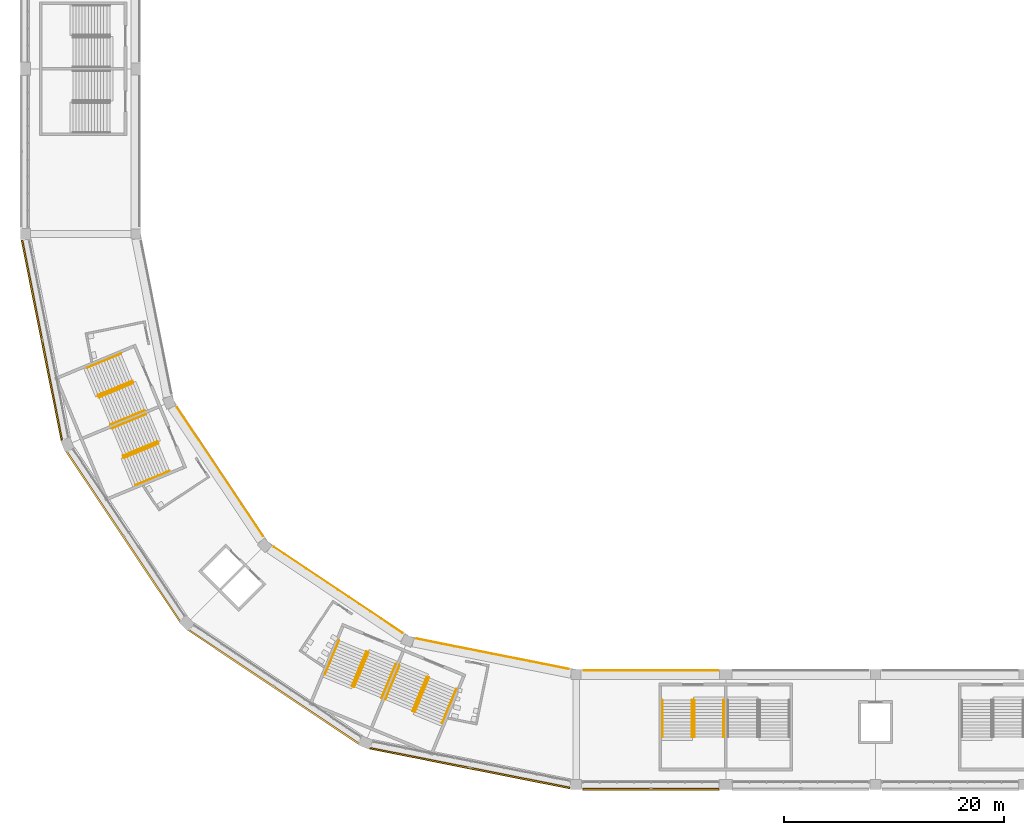
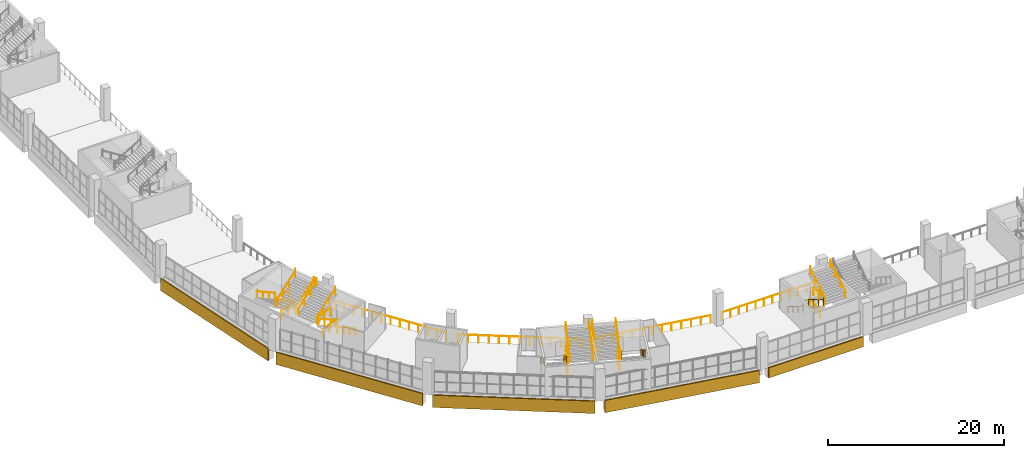
# One storey, part 164 of 177: 34 railings, 5 coverings.
"""IFC4 building model written with IfcOpenShell, lengths in metres."""

from ifc_helpers import new_model, si_unit, direction, frame, origin, origin_2d, place, context, subcontext, project, spatial, polyline, circle, outline, extrude, material, layer, layer_set, type_object, element, save


model = new_model("IFC4")

# Units and contexts
model_context = context("Model", 3, precision=1e-05, world=origin(), true_north=direction((0.0, 1.0)))
body_context = subcontext(model_context, "Body", "Model", "MODEL_VIEW")
ifc_project = project(units=[si_unit("LENGTHUNIT", "METRE"), si_unit("AREAUNIT", "SQUARE_METRE"), si_unit("VOLUMEUNIT", "CUBIC_METRE"), si_unit("PLANEANGLEUNIT", "RADIAN"), si_unit("MASSUNIT", "GRAM", prefix="KILO")], contexts=[model_context])

# Site, building, storey
site_placement = place(None, origin())
site = spatial("IfcSite", under=ifc_project, at=site_placement, CompositionType="ELEMENT")
building_placement = place(site_placement, origin())
building = spatial("IfcBuilding", under=site, at=building_placement, Name="Ogive Plaza Stadium", CompositionType="ELEMENT")
storey_placement = place(building_placement, frame((0.0, 0.0, 18.0)))
storey = spatial("IfcBuildingStorey", under=building, at=storey_placement, Name="L04", CompositionType="ELEMENT", Elevation=18.0)

# Railings
ifc_material_1 = material(Name="Steel ASTM A572 Grade 50", Category="steel")
railing_type_1 = type_object("IfcRailingType", Name="Guard 1100", PredefinedType="GUARDRAIL", material=ifc_material_1)
for number, where, name in (
    (1, (-23.375, -94.85009765625, 0.0), "Stair well guard ST16A L04"),
    (2, (-23.375, -95.81005859375, 2.25), "Stair well guard ST16A L04"),
):
    element("IfcRailing", number, at=place(storey_placement, frame(where)), inside=storey, type_object=railing_type_1, Name=name, PredefinedType="GUARDRAIL", context=body_context, shape_type="SweptSolid", body=[
        extrude(circle(Radius=0.02392578125, at=origin_2d()), frame((0.0, 0.0, 1.076171875), z_axis=(0.0, -1.0, 0.0), x_axis=(1.0, 0.0, 0.0)), (0.0, 0.0, 1.0), 2.39990234375),
        extrude(circle(Radius=0.02099609375, at=origin_2d()), origin(), (0.0, 0.0, 1.0), 1.052001953125),
        extrude(circle(Radius=0.02099609375, at=origin_2d()), frame((0.0, -1.199951171875, 0.0)), (0.0, 0.0, 1.0), 1.052001953125),
        extrude(circle(Radius=0.02099609375, at=origin_2d()), frame((0.0, -2.39990234375, 0.0)), (0.0, 0.0, 1.0), 1.052001953125),
    ])
for number, where, name in (
    (3, (-52.955078125, -90.48779296875, 0.0), "Stair well guard ST18A L04"),
    (4, (-53.322509765625, -91.374755859375, 2.25), "Stair well guard ST18A L04"),
    (5, (-47.4580078125, -92.764892578125, 0.0), "Stair well guard ST18B L04"),
    (6, (-47.825439453125, -93.651611328125, 2.25), "Stair well guard ST18B L04"),
):
    element("IfcRailing", number, at=place(storey_placement, frame(where)), inside=storey, type_object=railing_type_1, Name=name, PredefinedType="GUARDRAIL", context=body_context, shape_type="SweptSolid", body=[
        extrude(circle(Radius=0.02392578125, at=origin_2d()), frame((0.0, 0.0, 1.076171875), z_axis=(-0.382693194178, -0.923875488976, 0.0), x_axis=(0.923875488976, -0.382693194178, 0.0)), (0.0, 0.0, 1.0), 2.39990234375),
        extrude(circle(Radius=0.02099609375, at=origin_2d()), origin(), (0.0, 0.0, 1.0), 1.052001953125),
        extrude(circle(Radius=0.02099609375, at=origin_2d()), frame((-0.459228515625, -1.108642578125, 0.0)), (0.0, 0.0, 1.0), 1.052001953125),
        extrude(circle(Radius=0.02099609375, at=origin_2d()), frame((-0.91845703125, -2.21728515625, 0.0)), (0.0, 0.0, 1.0), 1.052001953125),
    ])
for number, where, name in (
    (7, (-74.264892578125, -65.9580078125, 0.0), "Stair well guard ST20A L04"),
    (8, (-75.151611328125, -66.325439453125, 2.25), "Stair well guard ST20A L04"),
    (9, (-71.98779296875, -71.455078125, 0.0), "Stair well guard ST20B L04"),
    (10, (-72.874755859375, -71.822509765625, 2.25), "Stair well guard ST20B L04"),
):
    element("IfcRailing", number, at=place(storey_placement, frame(where)), inside=storey, type_object=railing_type_1, Name=name, PredefinedType="GUARDRAIL", context=body_context, shape_type="SweptSolid", body=[
        extrude(circle(Radius=0.02392578125, at=origin_2d()), frame((0.0, 0.0, 1.076171875), z_axis=(-0.923875488976, -0.382693194178, 0.0), x_axis=(0.382693194178, -0.923875488976, 0.0)), (0.0, 0.0, 1.0), 2.39990234375),
        extrude(circle(Radius=0.02099609375, at=origin_2d()), origin(), (0.0, 0.0, 1.0), 1.052001953125),
        extrude(circle(Radius=0.02099609375, at=origin_2d()), frame((-1.108642578125, -0.459228515625, 0.0)), (0.0, 0.0, 1.0), 1.052001953125),
        extrude(circle(Radius=0.02099609375, at=origin_2d()), frame((-2.21728515625, -0.91845703125, 0.0)), (0.0, 0.0, 1.0), 1.052001953125),
    ])
railing_1_placement = place(storey_placement, frame((-21.10009765625, -92.14990234375, 0.0)))
element("IfcRailing", 11, at=railing_1_placement, inside=storey, type_object=railing_type_1, Name="Guard L04 B16", PredefinedType="GUARDRAIL", context=body_context, shape_type="SweptSolid", body=[
    extrude(circle(Radius=0.02392578125, at=origin_2d()), frame((0.0, 0.0, 1.076171875), z_axis=(-1.0, 0.0, 0.0), x_axis=(0.0, -1.0, 0.0)), (0.0, 0.0, 1.0), 12.199951171875),
    extrude(circle(Radius=0.02099609375, at=origin_2d()), origin(), (0.0, 0.0, 1.0), 1.052001953125),
    extrude(circle(Radius=0.02099609375, at=origin_2d()), frame((-1.109130859375, 0.0, 0.0)), (0.0, 0.0, 1.0), 1.052001953125),
    extrude(circle(Radius=0.02099609375, at=origin_2d()), frame((-2.21826171875, 0.0, 0.0)), (0.0, 0.0, 1.0), 1.052001953125),
    extrude(circle(Radius=0.02099609375, at=origin_2d()), frame((-3.3271484375, 0.0, 0.0)), (0.0, 0.0, 1.0), 1.052001953125),
    extrude(circle(Radius=0.02099609375, at=origin_2d()), frame((-4.436279296875, 0.0, 0.0)), (0.0, 0.0, 1.0), 1.052001953125),
    extrude(circle(Radius=0.02099609375, at=origin_2d()), frame((-5.54541015625, 0.0, 0.0)), (0.0, 0.0, 1.0), 1.052001953125),
    extrude(circle(Radius=0.02099609375, at=origin_2d()), frame((-6.654541015625, 0.0, 0.0)), (0.0, 0.0, 1.0), 1.052001953125),
    extrude(circle(Radius=0.02099609375, at=origin_2d()), frame((-7.763671875, 0.0, 0.0)), (0.0, 0.0, 1.0), 1.052001953125),
    extrude(circle(Radius=0.02099609375, at=origin_2d()), frame((-8.872802734375, 0.0, 0.0)), (0.0, 0.0, 1.0), 1.052001953125),
    extrude(circle(Radius=0.02099609375, at=origin_2d()), frame((-9.981689453125, 0.0, 0.0)), (0.0, 0.0, 1.0), 1.052001953125),
    extrude(circle(Radius=0.02099609375, at=origin_2d()), frame((-11.0908203125, 0.0, 0.0)), (0.0, 0.0, 1.0), 1.052001953125),
    extrude(circle(Radius=0.02099609375, at=origin_2d()), frame((-12.199951171875, 0.0, 0.0)), (0.0, 0.0, 1.0), 1.052001953125),
])
railing_2_placement = place(storey_placement, frame((-34.6865234375, -92.013427734375, 0.0)))
element("IfcRailing", 12, at=railing_2_placement, inside=storey, type_object=railing_type_1, Name="Guard L04 B17", PredefinedType="GUARDRAIL", context=body_context, shape_type="SweptSolid", body=[
    extrude(circle(Radius=0.02392578125, at=origin_2d()), frame((0.0, 0.0, 1.076171875), z_axis=(-0.980784352387, 0.195094987408, 0.0), x_axis=(-0.195094987408, -0.980784352387, 0.0)), (0.0, 0.0, 1.0), 14.070556640625),
    extrude(circle(Radius=0.02099609375, at=origin_2d()), origin(), (0.0, 0.0, 1.0), 1.052001953125),
    extrude(circle(Radius=0.02099609375, at=origin_2d()), frame((-1.14990234375, 0.228759765625, 0.0)), (0.0, 0.0, 1.0), 1.052001953125),
    extrude(circle(Radius=0.02099609375, at=origin_2d()), frame((-2.300048828125, 0.45751953125, 0.0)), (0.0, 0.0, 1.0), 1.052001953125),
    extrude(circle(Radius=0.02099609375, at=origin_2d()), frame((-3.4501953125, 0.686279296875, 0.0)), (0.0, 0.0, 1.0), 1.052001953125),
    extrude(circle(Radius=0.02099609375, at=origin_2d()), frame((-4.60009765625, 0.9150390625, 0.0)), (0.0, 0.0, 1.0), 1.052001953125),
    extrude(circle(Radius=0.02099609375, at=origin_2d()), frame((-5.75, 1.143798828125, 0.0)), (0.0, 0.0, 1.0), 1.052001953125),
    extrude(circle(Radius=0.02099609375, at=origin_2d()), frame((-6.900146484375, 1.37255859375, 0.0)), (0.0, 0.0, 1.0), 1.052001953125),
    extrude(circle(Radius=0.02099609375, at=origin_2d()), frame((-8.05029296875, 1.601318359375, 0.0)), (0.0, 0.0, 1.0), 1.052001953125),
    extrude(circle(Radius=0.02099609375, at=origin_2d()), frame((-9.2001953125, 1.830078125, 0.0)), (0.0, 0.0, 1.0), 1.052001953125),
    extrude(circle(Radius=0.02099609375, at=origin_2d()), frame((-10.35009765625, 2.058837890625, 0.0)), (0.0, 0.0, 1.0), 1.052001953125),
    extrude(circle(Radius=0.02099609375, at=origin_2d()), frame((-11.500244140625, 2.28759765625, 0.0)), (0.0, 0.0, 1.0), 1.052001953125),
    extrude(circle(Radius=0.02099609375, at=origin_2d()), frame((-12.650390625, 2.516357421875, 0.0)), (0.0, 0.0, 1.0), 1.052001953125),
    extrude(circle(Radius=0.02099609375, at=origin_2d()), frame((-13.80029296875, 2.7451171875, 0.0)), (0.0, 0.0, 1.0), 1.052001953125),
])
railing_3_placement = place(storey_placement, frame((-49.75537109375, -88.742919921875, 0.0)))
element("IfcRailing", 13, at=railing_3_placement, inside=storey, type_object=railing_type_1, Name="Guard L04 B18", PredefinedType="GUARDRAIL", context=body_context, shape_type="SweptSolid", body=[
    extrude(circle(Radius=0.02392578125, at=origin_2d()), frame((0.0, 0.0, 1.076171875), z_axis=(-0.83147593222, 0.555560774478, 0.0), x_axis=(-0.555560774478, -0.83147593222, 0.0)), (0.0, 0.0, 1.0), 14.07080078125),
    extrude(circle(Radius=0.02099609375, at=origin_2d()), origin(), (0.0, 0.0, 1.0), 1.052001953125),
    extrude(circle(Radius=0.02099609375, at=origin_2d()), frame((-0.974853515625, 0.6513671875, 0.0)), (0.0, 0.0, 1.0), 1.052001953125),
    extrude(circle(Radius=0.02099609375, at=origin_2d()), frame((-1.949951171875, 1.302734375, 0.0)), (0.0, 0.0, 1.0), 1.052001953125),
    extrude(circle(Radius=0.02099609375, at=origin_2d()), frame((-2.9248046875, 1.954345703125, 0.0)), (0.0, 0.0, 1.0), 1.052001953125),
    extrude(circle(Radius=0.02099609375, at=origin_2d()), frame((-3.89990234375, 2.605712890625, 0.0)), (0.0, 0.0, 1.0), 1.052001953125),
    extrude(circle(Radius=0.02099609375, at=origin_2d()), frame((-4.874755859375, 3.257080078125, 0.0)), (0.0, 0.0, 1.0), 1.052001953125),
    extrude(circle(Radius=0.02099609375, at=origin_2d()), frame((-5.849609375, 3.90869140625, 0.0)), (0.0, 0.0, 1.0), 1.052001953125),
    extrude(circle(Radius=0.02099609375, at=origin_2d()), frame((-6.82470703125, 4.56005859375, 0.0)), (0.0, 0.0, 1.0), 1.052001953125),
    extrude(circle(Radius=0.02099609375, at=origin_2d()), frame((-7.799560546875, 5.21142578125, 0.0)), (0.0, 0.0, 1.0), 1.052001953125),
    extrude(circle(Radius=0.02099609375, at=origin_2d()), frame((-8.774658203125, 5.86279296875, 0.0)), (0.0, 0.0, 1.0), 1.052001953125),
    extrude(circle(Radius=0.02099609375, at=origin_2d()), frame((-9.74951171875, 6.51416015625, 0.0)), (0.0, 0.0, 1.0), 1.052001953125),
    extrude(circle(Radius=0.02099609375, at=origin_2d()), frame((-10.724609375, 7.165771484375, 0.0)), (0.0, 0.0, 1.0), 1.052001953125),
    extrude(circle(Radius=0.02099609375, at=origin_2d()), frame((-11.699462890625, 7.817138671875, 0.0)), (0.0, 0.0, 1.0), 1.052001953125),
])
railing_4_placement = place(storey_placement, frame((-62.42578125, -79.954833984375, 0.0)))
element("IfcRailing", 14, at=railing_4_placement, inside=storey, type_object=railing_type_1, Name="Guard L04 B19", PredefinedType="GUARDRAIL", context=body_context, shape_type="SweptSolid", body=[
    extrude(circle(Radius=0.02392578125, at=origin_2d()), frame((0.0, 0.0, 1.076171875), z_axis=(-0.555560774478, 0.83147593222, 0.0), x_axis=(-0.83147593222, -0.555560774478, 0.0)), (0.0, 0.0, 1.0), 14.07080078125),
    extrude(circle(Radius=0.02099609375, at=origin_2d()), origin(), (0.0, 0.0, 1.0), 1.052001953125),
    extrude(circle(Radius=0.02099609375, at=origin_2d()), frame((-0.6513671875, 0.974853515625, 0.0)), (0.0, 0.0, 1.0), 1.052001953125),
    extrude(circle(Radius=0.02099609375, at=origin_2d()), frame((-1.302734375, 1.949951171875, 0.0)), (0.0, 0.0, 1.0), 1.052001953125),
    extrude(circle(Radius=0.02099609375, at=origin_2d()), frame((-1.954345703125, 2.9248046875, 0.0)), (0.0, 0.0, 1.0), 1.052001953125),
    extrude(circle(Radius=0.02099609375, at=origin_2d()), frame((-2.605712890625, 3.89990234375, 0.0)), (0.0, 0.0, 1.0), 1.052001953125),
    extrude(circle(Radius=0.02099609375, at=origin_2d()), frame((-3.257080078125, 4.874755859375, 0.0)), (0.0, 0.0, 1.0), 1.052001953125),
    extrude(circle(Radius=0.02099609375, at=origin_2d()), frame((-3.90869140625, 5.849609375, 0.0)), (0.0, 0.0, 1.0), 1.052001953125),
    extrude(circle(Radius=0.02099609375, at=origin_2d()), frame((-4.56005859375, 6.82470703125, 0.0)), (0.0, 0.0, 1.0), 1.052001953125),
    extrude(circle(Radius=0.02099609375, at=origin_2d()), frame((-5.21142578125, 7.799560546875, 0.0)), (0.0, 0.0, 1.0), 1.052001953125),
    extrude(circle(Radius=0.02099609375, at=origin_2d()), frame((-5.86279296875, 8.774658203125, 0.0)), (0.0, 0.0, 1.0), 1.052001953125),
    extrude(circle(Radius=0.02099609375, at=origin_2d()), frame((-6.51416015625, 9.74951171875, 0.0)), (0.0, 0.0, 1.0), 1.052001953125),
    extrude(circle(Radius=0.02099609375, at=origin_2d()), frame((-7.165771484375, 10.724609375, 0.0)), (0.0, 0.0, 1.0), 1.052001953125),
    extrude(circle(Radius=0.02099609375, at=origin_2d()), frame((-7.817138671875, 11.699462890625, 0.0)), (0.0, 0.0, 1.0), 1.052001953125),
])
ifc_material_2 = material(Name="Steel ASTM A572 Grade 50", Category="steel")
railing_type_2 = type_object("IfcRailingType", Name="Handrail 900", PredefinedType="HANDRAIL", material=ifc_material_2)
for number, where, name in (
    (15, (-26.1650390625, -94.85009765625, 0.173095703125), "Handrail ST16A L04"),
    (16, (-23.485107421875, -94.85009765625, 0.173095703125), "Handrail ST16A L04"),
):
    element("IfcRailing", number, at=place(storey_placement, frame(where)), inside=storey, type_object=railing_type_2, Name=name, PredefinedType="HANDRAIL", context=body_context, shape_type="SweptSolid", body=[
        extrude(circle(Radius=0.02392578125, at=origin_2d()), frame((0.0, 0.0, 0.8759765625), z_axis=(0.0, -0.850606129759, 0.525803396734), x_axis=(1.0, 0.0, 0.0)), (0.0, 0.0, 1.0), 3.949951171875),
        extrude(circle(Radius=0.02099609375, at=origin_2d()), origin(), (0.0, 0.0, 1.0), 0.851806640625),
        extrude(circle(Radius=0.02099609375, at=origin_2d()), frame((0.0, -1.119873046875, 0.6923828125)), (0.0, 0.0, 1.0), 0.851806640625),
        extrude(circle(Radius=0.02099609375, at=origin_2d()), frame((0.0, -2.239990234375, 1.384521484375)), (0.0, 0.0, 1.0), 0.851806640625),
        extrude(circle(Radius=0.02099609375, at=origin_2d()), frame((0.0, -3.35986328125, 2.076904296875)), (0.0, 0.0, 1.0), 1.10009765625),
    ])
for number, where, name in (
    (17, (-23.264892578125, -98.2099609375, 2.423095703125), "Handrail ST16A L04"),
    (18, (-20.5849609375, -98.2099609375, 2.423095703125), "Handrail ST16A L04"),
):
    element("IfcRailing", number, at=place(storey_placement, frame(where)), inside=storey, type_object=railing_type_2, Name=name, PredefinedType="HANDRAIL", context=body_context, shape_type="SweptSolid", body=[
        extrude(circle(Radius=0.02392578125, at=origin_2d()), frame((0.0, 0.0, 0.8759765625), z_axis=(0.0, 0.850606129759, 0.525803396734), x_axis=(-1.0, 0.0, 0.0)), (0.0, 0.0, 1.0), 3.949951171875),
        extrude(circle(Radius=0.02099609375, at=origin_2d()), origin(), (0.0, 0.0, 1.0), 0.851806640625),
        extrude(circle(Radius=0.02099609375, at=origin_2d()), frame((0.0, 1.119873046875, 0.6923828125)), (0.0, 0.0, 1.0), 0.851806640625),
        extrude(circle(Radius=0.02099609375, at=origin_2d()), frame((0.0, 2.239990234375, 1.384521484375)), (0.0, 0.0, 1.0), 0.851806640625),
        extrude(circle(Radius=0.02099609375, at=origin_2d()), frame((0.0, 3.35986328125, 2.076904296875)), (0.0, 0.0, 1.0), 1.10009765625),
    ])
railing_5_placement = place(storey_placement, frame((-55.53271484375, -89.420166015625, 0.173095703125)))
element("IfcRailing", 19, at=railing_5_placement, inside=storey, type_object=railing_type_2, Name="Handrail ST18A L04", PredefinedType="HANDRAIL", context=body_context, shape_type="SweptSolid", body=[
    extrude(circle(Radius=0.02392578125, at=origin_2d()), frame((0.0, 0.0, 0.8759765625), z_axis=(-0.32553207776, -0.785862990074, 0.525783441334), x_axis=(0.923872479269, -0.382700459954, 0.0)), (0.0, 0.0, 1.0), 3.9501953125),
    extrude(circle(Radius=0.02099609375, at=origin_2d()), origin(), (0.0, 0.0, 1.0), 0.851806640625),
    extrude(circle(Radius=0.02099609375, at=origin_2d()), frame((-0.4287109375, -1.03466796875, 0.6923828125)), (0.0, 0.0, 1.0), 0.851806640625),
    extrude(circle(Radius=0.02099609375, at=origin_2d()), frame((-0.857177734375, -2.069580078125, 1.384521484375)), (0.0, 0.0, 1.0), 0.851806640625),
    extrude(circle(Radius=0.02099609375, at=origin_2d()), frame((-1.285888671875, -3.104248046875, 2.076904296875)), (0.0, 0.0, 1.0), 1.10009765625),
])
railing_6_placement = place(storey_placement, frame((-53.056884765625, -90.44580078125, 0.173095703125)))
element("IfcRailing", 20, at=railing_6_placement, inside=storey, type_object=railing_type_2, Name="Handrail ST18A L04", PredefinedType="HANDRAIL", context=body_context, shape_type="SweptSolid", body=[
    extrude(circle(Radius=0.02392578125, at=origin_2d()), frame((0.0, 0.0, 0.8759765625), z_axis=(-0.325476819766, -0.785878800478, 0.525794019321), x_axis=(0.923898168054, -0.382638439086, 0.0)), (0.0, 0.0, 1.0), 3.949951171875),
    extrude(circle(Radius=0.02099609375, at=origin_2d()), origin(), (0.0, 0.0, 1.0), 0.851806640625),
    extrude(circle(Radius=0.02099609375, at=origin_2d()), frame((-0.428466796875, -1.03466796875, 0.6923828125)), (0.0, 0.0, 1.0), 0.851806640625),
    extrude(circle(Radius=0.02099609375, at=origin_2d()), frame((-0.857177734375, -2.069580078125, 1.384521484375)), (0.0, 0.0, 1.0), 0.851806640625),
    extrude(circle(Radius=0.02099609375, at=origin_2d()), frame((-1.28564453125, -3.104248046875, 2.076904296875)), (0.0, 0.0, 1.0), 1.10009765625),
])
railing_7_placement = place(storey_placement, frame((-54.139404296875, -93.634033203125, 2.423095703125)))
element("IfcRailing", 21, at=railing_7_placement, inside=storey, type_object=railing_type_2, Name="Handrail ST18A L04", PredefinedType="HANDRAIL", context=body_context, shape_type="SweptSolid", body=[
    extrude(circle(Radius=0.02392578125, at=origin_2d()), frame((0.0, 0.0, 0.8759765625), z_axis=(0.325547889718, 0.78583935255, 0.525808980033), x_axis=(-0.923861836433, 0.382726151683, 0.0)), (0.0, 0.0, 1.0), 3.949951171875),
    extrude(circle(Radius=0.02099609375, at=origin_2d()), origin(), (0.0, 0.0, 1.0), 0.851806640625),
    extrude(circle(Radius=0.02099609375, at=origin_2d()), frame((0.4287109375, 1.03466796875, 0.6923828125)), (0.0, 0.0, 1.0), 0.851806640625),
    extrude(circle(Radius=0.02099609375, at=origin_2d()), frame((0.857177734375, 2.0693359375, 1.384521484375)), (0.0, 0.0, 1.0), 0.851806640625),
    extrude(circle(Radius=0.02099609375, at=origin_2d()), frame((1.285888671875, 3.10400390625, 2.076904296875)), (0.0, 0.0, 1.0), 1.10009765625),
])
railing_8_placement = place(storey_placement, frame((-51.663330078125, -94.65966796875, 2.423095703125)))
element("IfcRailing", 22, at=railing_8_placement, inside=storey, type_object=railing_type_2, Name="Handrail ST18A L04", PredefinedType="HANDRAIL", context=body_context, shape_type="SweptSolid", body=[
    extrude(circle(Radius=0.02392578125, at=origin_2d()), frame((0.0, 0.0, 0.8759765625), z_axis=(0.32553207776, 0.785862990074, 0.525783441334), x_axis=(-0.923872479269, 0.382700459954, 0.0)), (0.0, 0.0, 1.0), 3.9501953125),
    extrude(circle(Radius=0.02099609375, at=origin_2d()), origin(), (0.0, 0.0, 1.0), 0.851806640625),
    extrude(circle(Radius=0.02099609375, at=origin_2d()), frame((0.4287109375, 1.03466796875, 0.6923828125)), (0.0, 0.0, 1.0), 0.851806640625),
    extrude(circle(Radius=0.02099609375, at=origin_2d()), frame((0.857177734375, 2.069580078125, 1.384521484375)), (0.0, 0.0, 1.0), 0.851806640625),
    extrude(circle(Radius=0.02099609375, at=origin_2d()), frame((1.285888671875, 3.104248046875, 2.076904296875)), (0.0, 0.0, 1.0), 1.10009765625),
])
for number, where, name in (
    (23, (-47.3564453125, -92.806884765625, 0.173095703125), "Handrail ST18B L04"),
    (24, (-44.88037109375, -93.83251953125, 0.173095703125), "Handrail ST18B L04"),
):
    element("IfcRailing", number, at=place(storey_placement, frame(where)), inside=storey, type_object=railing_type_2, Name=name, PredefinedType="HANDRAIL", context=body_context, shape_type="SweptSolid", body=[
        extrude(circle(Radius=0.02392578125, at=origin_2d()), frame((0.0, 0.0, 0.8759765625), z_axis=(-0.32553207776, -0.785862990074, 0.525783441334), x_axis=(0.923872479269, -0.382700459954, 0.0)), (0.0, 0.0, 1.0), 3.9501953125),
        extrude(circle(Radius=0.02099609375, at=origin_2d()), origin(), (0.0, 0.0, 1.0), 0.851806640625),
        extrude(circle(Radius=0.02099609375, at=origin_2d()), frame((-0.4287109375, -1.03466796875, 0.6923828125)), (0.0, 0.0, 1.0), 0.851806640625),
        extrude(circle(Radius=0.02099609375, at=origin_2d()), frame((-0.857177734375, -2.069580078125, 1.384521484375)), (0.0, 0.0, 1.0), 0.851806640625),
        extrude(circle(Radius=0.02099609375, at=origin_2d()), frame((-1.285888671875, -3.104248046875, 2.076904296875)), (0.0, 0.0, 1.0), 1.10009765625),
    ])
railing_9_placement = place(storey_placement, frame((-51.321533203125, -94.80126953125, 2.423095703125)))
element("IfcRailing", 25, at=railing_9_placement, inside=storey, type_object=railing_type_2, Name="Handrail ST18B L04", PredefinedType="HANDRAIL", context=body_context, shape_type="SweptSolid", body=[
    extrude(circle(Radius=0.02392578125, at=origin_2d()), frame((0.0, 0.0, 0.8759765625), z_axis=(0.32553207776, 0.785862990074, 0.525783441334), x_axis=(-0.923872479269, 0.382700459954, 0.0)), (0.0, 0.0, 1.0), 3.9501953125),
    extrude(circle(Radius=0.02099609375, at=origin_2d()), origin(), (0.0, 0.0, 1.0), 0.851806640625),
    extrude(circle(Radius=0.02099609375, at=origin_2d()), frame((0.4287109375, 1.03466796875, 0.6923828125)), (0.0, 0.0, 1.0), 0.851806640625),
    extrude(circle(Radius=0.02099609375, at=origin_2d()), frame((0.857177734375, 2.069580078125, 1.384521484375)), (0.0, 0.0, 1.0), 0.851806640625),
    extrude(circle(Radius=0.02099609375, at=origin_2d()), frame((1.285888671875, 3.104248046875, 2.076904296875)), (0.0, 0.0, 1.0), 1.10009765625),
])
railing_10_placement = place(storey_placement, frame((-48.845458984375, -95.826904296875, 2.423095703125)))
element("IfcRailing", 26, at=railing_10_placement, inside=storey, type_object=railing_type_2, Name="Handrail ST18B L04", PredefinedType="HANDRAIL", context=body_context, shape_type="SweptSolid", body=[
    extrude(circle(Radius=0.02392578125, at=origin_2d()), frame((0.0, 0.0, 0.8759765625), z_axis=(0.325476819766, 0.785878800478, 0.525794019321), x_axis=(-0.923898168054, 0.382638439086, 0.0)), (0.0, 0.0, 1.0), 3.949951171875),
    extrude(circle(Radius=0.02099609375, at=origin_2d()), origin(), (0.0, 0.0, 1.0), 0.851806640625),
    extrude(circle(Radius=0.02099609375, at=origin_2d()), frame((0.428466796875, 1.03466796875, 0.6923828125)), (0.0, 0.0, 1.0), 0.851806640625),
    extrude(circle(Radius=0.02099609375, at=origin_2d()), frame((0.857177734375, 2.069580078125, 1.384521484375)), (0.0, 0.0, 1.0), 0.851806640625),
    extrude(circle(Radius=0.02099609375, at=origin_2d()), frame((1.28564453125, 3.104248046875, 2.076904296875)), (0.0, 0.0, 1.0), 1.10009765625),
])
for number, where, name in (
    (27, (-75.33251953125, -63.38037109375, 0.173095703125), "Handrail ST20A L04"),
    (28, (-74.306884765625, -65.8564453125, 0.173095703125), "Handrail ST20A L04"),
):
    element("IfcRailing", number, at=place(storey_placement, frame(where)), inside=storey, type_object=railing_type_2, Name=name, PredefinedType="HANDRAIL", context=body_context, shape_type="SweptSolid", body=[
        extrude(circle(Radius=0.02392578125, at=origin_2d()), frame((0.0, 0.0, 0.8759765625), z_axis=(-0.785862990074, -0.32553207776, 0.525783441334), x_axis=(0.382700459954, -0.923872479269, 0.0)), (0.0, 0.0, 1.0), 3.9501953125),
        extrude(circle(Radius=0.02099609375, at=origin_2d()), origin(), (0.0, 0.0, 1.0), 0.851806640625),
        extrude(circle(Radius=0.02099609375, at=origin_2d()), frame((-1.03466796875, -0.4287109375, 0.6923828125)), (0.0, 0.0, 1.0), 0.851806640625),
        extrude(circle(Radius=0.02099609375, at=origin_2d()), frame((-2.069580078125, -0.857177734375, 1.384521484375)), (0.0, 0.0, 1.0), 0.851806640625),
        extrude(circle(Radius=0.02099609375, at=origin_2d()), frame((-3.104248046875, -1.285888671875, 2.076904296875)), (0.0, 0.0, 1.0), 1.10009765625),
    ])
railing_11_placement = place(storey_placement, frame((-77.326904296875, -67.345458984375, 2.423095703125)))
element("IfcRailing", 29, at=railing_11_placement, inside=storey, type_object=railing_type_2, Name="Handrail ST20A L04", PredefinedType="HANDRAIL", context=body_context, shape_type="SweptSolid", body=[
    extrude(circle(Radius=0.02392578125, at=origin_2d()), frame((0.0, 0.0, 0.8759765625), z_axis=(0.785878800478, 0.325476819766, 0.525794019321), x_axis=(-0.382638439086, 0.923898168054, 0.0)), (0.0, 0.0, 1.0), 3.949951171875),
    extrude(circle(Radius=0.02099609375, at=origin_2d()), origin(), (0.0, 0.0, 1.0), 0.851806640625),
    extrude(circle(Radius=0.02099609375, at=origin_2d()), frame((1.03466796875, 0.428466796875, 0.6923828125)), (0.0, 0.0, 1.0), 0.851806640625),
    extrude(circle(Radius=0.02099609375, at=origin_2d()), frame((2.069580078125, 0.857177734375, 1.384521484375)), (0.0, 0.0, 1.0), 0.851806640625),
    extrude(circle(Radius=0.02099609375, at=origin_2d()), frame((3.104248046875, 1.28564453125, 2.076904296875)), (0.0, 0.0, 1.0), 1.10009765625),
])
railing_12_placement = place(storey_placement, frame((-76.30126953125, -69.821533203125, 2.423095703125)))
element("IfcRailing", 30, at=railing_12_placement, inside=storey, type_object=railing_type_2, Name="Handrail ST20A L04", PredefinedType="HANDRAIL", context=body_context, shape_type="SweptSolid", body=[
    extrude(circle(Radius=0.02392578125, at=origin_2d()), frame((0.0, 0.0, 0.8759765625), z_axis=(0.785862990074, 0.32553207776, 0.525783441334), x_axis=(-0.382700459954, 0.923872479269, 0.0)), (0.0, 0.0, 1.0), 3.9501953125),
    extrude(circle(Radius=0.02099609375, at=origin_2d()), origin(), (0.0, 0.0, 1.0), 0.851806640625),
    extrude(circle(Radius=0.02099609375, at=origin_2d()), frame((1.03466796875, 0.4287109375, 0.6923828125)), (0.0, 0.0, 1.0), 0.851806640625),
    extrude(circle(Radius=0.02099609375, at=origin_2d()), frame((2.069580078125, 0.857177734375, 1.384521484375)), (0.0, 0.0, 1.0), 0.851806640625),
    extrude(circle(Radius=0.02099609375, at=origin_2d()), frame((3.104248046875, 1.285888671875, 2.076904296875)), (0.0, 0.0, 1.0), 1.10009765625),
])
railing_13_placement = place(storey_placement, frame((-71.94580078125, -71.556884765625, 0.173095703125)))
element("IfcRailing", 31, at=railing_13_placement, inside=storey, type_object=railing_type_2, Name="Handrail ST20B L04", PredefinedType="HANDRAIL", context=body_context, shape_type="SweptSolid", body=[
    extrude(circle(Radius=0.02392578125, at=origin_2d()), frame((0.0, 0.0, 0.8759765625), z_axis=(-0.785878800478, -0.325476819766, 0.525794019321), x_axis=(0.382638439086, -0.923898168054, 0.0)), (0.0, 0.0, 1.0), 3.949951171875),
    extrude(circle(Radius=0.02099609375, at=origin_2d()), origin(), (0.0, 0.0, 1.0), 0.851806640625),
    extrude(circle(Radius=0.02099609375, at=origin_2d()), frame((-1.03466796875, -0.428466796875, 0.6923828125)), (0.0, 0.0, 1.0), 0.851806640625),
    extrude(circle(Radius=0.02099609375, at=origin_2d()), frame((-2.069580078125, -0.857177734375, 1.384521484375)), (0.0, 0.0, 1.0), 0.851806640625),
    extrude(circle(Radius=0.02099609375, at=origin_2d()), frame((-3.104248046875, -1.28564453125, 2.076904296875)), (0.0, 0.0, 1.0), 1.10009765625),
])
railing_14_placement = place(storey_placement, frame((-70.920166015625, -74.03271484375, 0.173095703125)))
element("IfcRailing", 32, at=railing_14_placement, inside=storey, type_object=railing_type_2, Name="Handrail ST20B L04", PredefinedType="HANDRAIL", context=body_context, shape_type="SweptSolid", body=[
    extrude(circle(Radius=0.02392578125, at=origin_2d()), frame((0.0, 0.0, 0.8759765625), z_axis=(-0.785862990074, -0.32553207776, 0.525783441334), x_axis=(0.382700459954, -0.923872479269, 0.0)), (0.0, 0.0, 1.0), 3.9501953125),
    extrude(circle(Radius=0.02099609375, at=origin_2d()), origin(), (0.0, 0.0, 1.0), 0.851806640625),
    extrude(circle(Radius=0.02099609375, at=origin_2d()), frame((-1.03466796875, -0.4287109375, 0.6923828125)), (0.0, 0.0, 1.0), 0.851806640625),
    extrude(circle(Radius=0.02099609375, at=origin_2d()), frame((-2.069580078125, -0.857177734375, 1.384521484375)), (0.0, 0.0, 1.0), 0.851806640625),
    extrude(circle(Radius=0.02099609375, at=origin_2d()), frame((-3.104248046875, -1.285888671875, 2.076904296875)), (0.0, 0.0, 1.0), 1.10009765625),
])
railing_15_placement = place(storey_placement, frame((-76.15966796875, -70.163330078125, 2.423095703125)))
element("IfcRailing", 33, at=railing_15_placement, inside=storey, type_object=railing_type_2, Name="Handrail ST20B L04", PredefinedType="HANDRAIL", context=body_context, shape_type="SweptSolid", body=[
    extrude(circle(Radius=0.02392578125, at=origin_2d()), frame((0.0, 0.0, 0.8759765625), z_axis=(0.785862990074, 0.32553207776, 0.525783441334), x_axis=(-0.382700459954, 0.923872479269, 0.0)), (0.0, 0.0, 1.0), 3.9501953125),
    extrude(circle(Radius=0.02099609375, at=origin_2d()), origin(), (0.0, 0.0, 1.0), 0.851806640625),
    extrude(circle(Radius=0.02099609375, at=origin_2d()), frame((1.03466796875, 0.4287109375, 0.6923828125)), (0.0, 0.0, 1.0), 0.851806640625),
    extrude(circle(Radius=0.02099609375, at=origin_2d()), frame((2.069580078125, 0.857177734375, 1.384521484375)), (0.0, 0.0, 1.0), 0.851806640625),
    extrude(circle(Radius=0.02099609375, at=origin_2d()), frame((3.104248046875, 1.285888671875, 2.076904296875)), (0.0, 0.0, 1.0), 1.10009765625),
])
railing_16_placement = place(storey_placement, frame((-75.134033203125, -72.639404296875, 2.423095703125)))
element("IfcRailing", 34, at=railing_16_placement, inside=storey, type_object=railing_type_2, Name="Handrail ST20B L04", PredefinedType="HANDRAIL", context=body_context, shape_type="SweptSolid", body=[
    extrude(circle(Radius=0.02392578125, at=origin_2d()), frame((0.0, 0.0, 0.8759765625), z_axis=(0.78583935255, 0.325547889718, 0.525808980033), x_axis=(-0.382726151683, 0.923861836433, 0.0)), (0.0, 0.0, 1.0), 3.949951171875),
    extrude(circle(Radius=0.02099609375, at=origin_2d()), origin(), (0.0, 0.0, 1.0), 0.851806640625),
    extrude(circle(Radius=0.02099609375, at=origin_2d()), frame((1.03466796875, 0.4287109375, 0.6923828125)), (0.0, 0.0, 1.0), 0.851806640625),
    extrude(circle(Radius=0.02099609375, at=origin_2d()), frame((2.0693359375, 0.857177734375, 1.384521484375)), (0.0, 0.0, 1.0), 0.851806640625),
    extrude(circle(Radius=0.02099609375, at=origin_2d()), frame((3.10400390625, 1.285888671875, 2.076904296875)), (0.0, 0.0, 1.0), 1.10009765625),
])

# Coverings
ifc_material_3 = material(Name="Cast stone (reconstituted limestone)", Category="masonry")
ifc_layer = layer(ifc_material_3, 0.159912109375)
ifc_layer_set = layer_set([ifc_layer], Name="Precast spandrel cladding 160")
covering_type = type_object("IfcCoveringType", Name="Precast spandrel cladding 160", PredefinedType="CLADDING", material=ifc_layer_set)
covering_1_placement = place(storey_placement, frame((0.0, 0.0, -1.409912109375)))
element("IfcCovering", 35, at=covering_1_placement, inside=storey, type_object=covering_type, Name="SPANDREL CLADDING B16 L04", PredefinedType="CLADDING", context=body_context, shape_type="SweptSolid", body=[
    extrude(outline(polyline([(-21.0, -102.85009765625), (-33.39990234375, -102.85009765625), (-33.39990234375, -103.010009765625), (-21.0, -103.010009765625), (-21.0, -102.85009765625)])), origin(), (0.0, 0.0, 1.0), 1.409912109375),
])
covering_2_placement = place(storey_placement, frame((0.0, 0.0, -1.7099609375)))
element("IfcCovering", 36, at=covering_2_placement, inside=storey, type_object=covering_type, Name="SPANDREL CLADDING B17 L04", PredefinedType="CLADDING", context=body_context, shape_type="SweptSolid", body=[
    extrude(outline(polyline([(-34.550048828125, -102.74755859375), (-52.720703125, -99.133056640625), (-52.751953125, -99.2900390625), (-34.581298828125, -102.904296875), (-34.550048828125, -102.74755859375)])), origin(), (0.0, 0.0, 1.0), 1.7099609375),
])
covering_3_placement = place(storey_placement, frame((0.0, 0.0, -1.7099609375)))
element("IfcCovering", 37, at=covering_3_placement, inside=storey, type_object=covering_type, Name="SPANDREL CLADDING B18 L04", PredefinedType="CLADDING", context=body_context, shape_type="SweptSolid", body=[
    extrude(outline(polyline([(-53.737060546875, -98.712158203125), (-69.141357421875, -88.419189453125), (-69.230224609375, -88.55224609375), (-53.825927734375, -98.84521484375), (-53.737060546875, -98.712158203125)])), origin(), (0.0, 0.0, 1.0), 1.7099609375),
])
covering_4_placement = place(storey_placement, frame((0.0, 0.0, -1.7099609375)))
element("IfcCovering", 38, at=covering_4_placement, inside=storey, type_object=covering_type, Name="SPANDREL CLADDING B19 L04", PredefinedType="CLADDING", context=body_context, shape_type="SweptSolid", body=[
    extrude(outline(polyline([(-69.919189453125, -87.641357421875), (-80.212158203125, -72.237060546875), (-80.34521484375, -72.325927734375), (-70.05224609375, -87.730224609375), (-69.919189453125, -87.641357421875)])), origin(), (0.0, 0.0, 1.0), 1.7099609375),
])
covering_5_placement = place(storey_placement, frame((0.0, 0.0, -1.7099609375)))
element("IfcCovering", 39, at=covering_5_placement, inside=storey, type_object=covering_type, Name="SPANDREL CLADDING B20 L04", PredefinedType="CLADDING", context=body_context, shape_type="SweptSolid", body=[
    extrude(outline(polyline([(-80.633056640625, -71.220703125), (-84.24755859375, -53.050048828125), (-84.404296875, -53.081298828125), (-80.7900390625, -71.251953125), (-80.633056640625, -71.220703125)])), origin(), (0.0, 0.0, 1.0), 1.7099609375),
])

save(model, "model.ifc")
